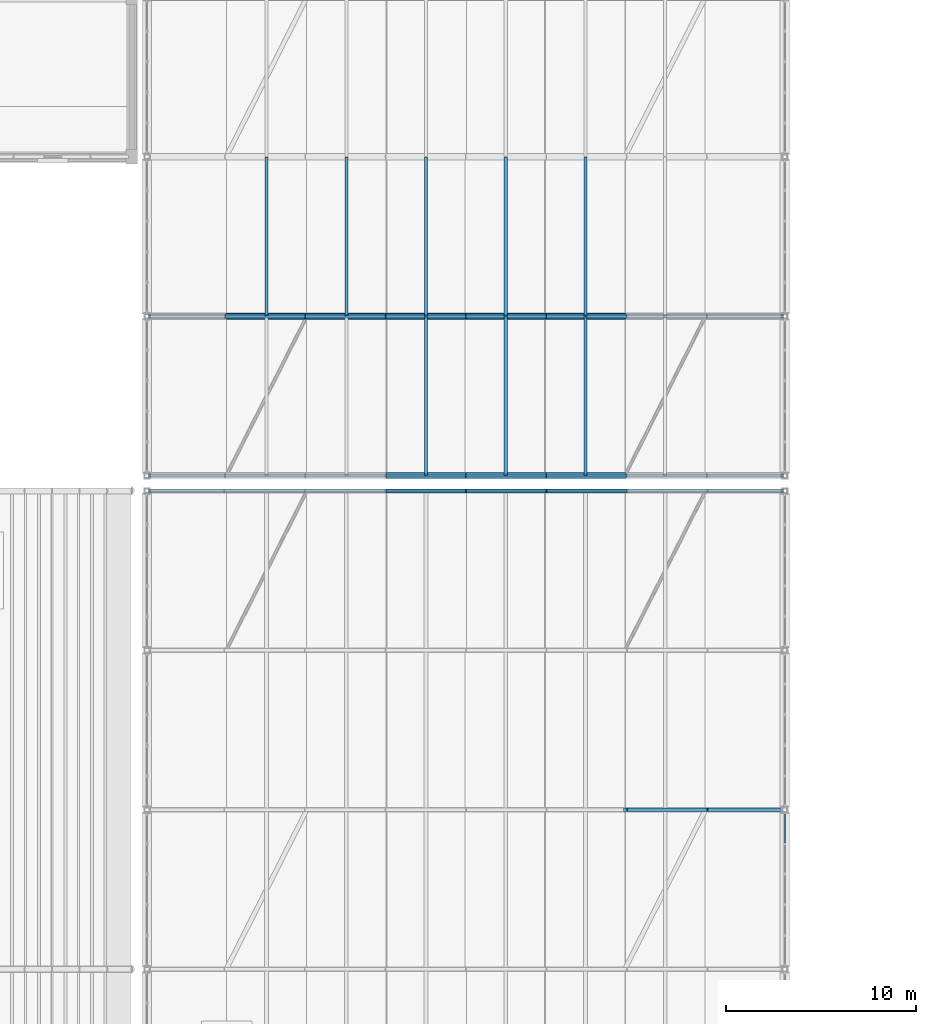
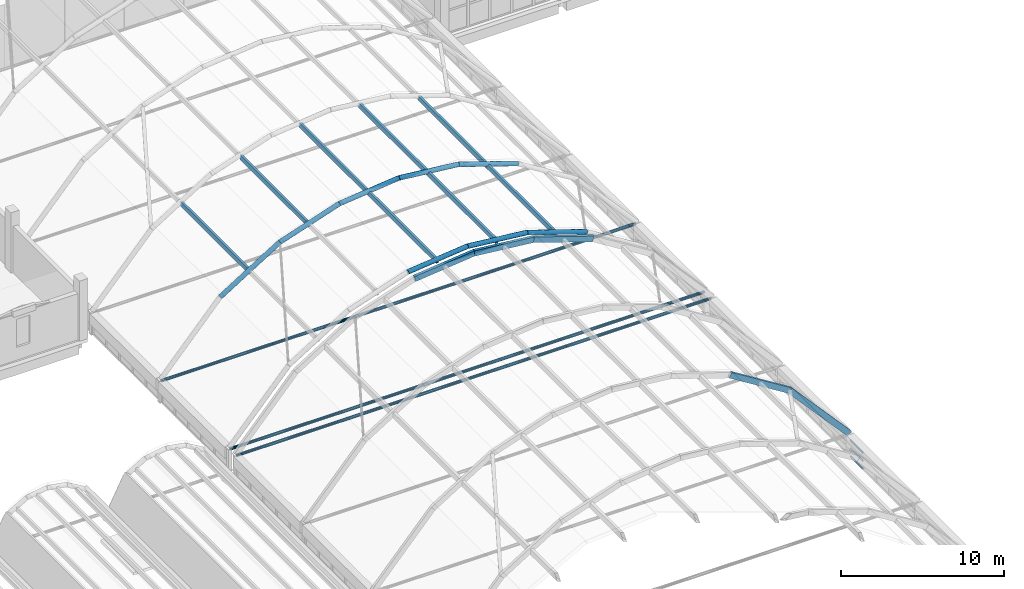
# One storey, part 34 of 114: 16 beams, 11 members, 1 element without a shape of its own.
"""IFC4 building model written with IfcOpenShell, lengths in metres."""

import ifcopenshell
import ifcopenshell.guid

model = None  # the IFC model being written
_history = None  # IfcOwnerHistory: only IFC2X3 demands one
_inside = {}  # id of a spatial element -> (the spatial element, [elements in it])
_under = {}  # id of a project, library or spatial element -> (it, [spatial elements below it])
_declared = {}  # id of a project -> (the project, [libraries it declares])
_typed = {}  # id of a type object -> (the type object, [elements of that type])
_made_of = {}  # id of a material, layer set ... -> (it, [elements and type objects made of it])


def new_model(schema):
    """Start an empty IFC model of exactly this schema.

    Asked for "IFC4X3", IfcOpenShell would pick the latest addendum, in which some entities
    have other attributes; the version numbers below select the first issue.
    IFC2X3 requires an IfcOwnerHistory on every rooted entity: one is made here for all.
    """
    global model, _history
    if schema == "IFC4X3":
        model = ifcopenshell.file(schema_version=(4, 3, 0, 0))
    else:
        model = ifcopenshell.file(schema=schema)
    _inside.clear()
    _under.clear()
    _declared.clear()
    _typed.clear()
    _made_of.clear()
    _history = None
    if model.schema == "IFC2X3":
        org = make("IfcOrganization", Name="unknown")
        user = make(
            "IfcPersonAndOrganization",
            ThePerson=make("IfcPerson", FamilyName="unknown"),
            TheOrganization=org,
        )
        app = make(
            "IfcApplication",
            ApplicationDeveloper=org,
            Version="unknown",
            ApplicationFullName="unknown",
            ApplicationIdentifier="unknown",
        )
        _history = make(
            "IfcOwnerHistory",
            OwningUser=user,
            OwningApplication=app,
            ChangeAction="ADDED",
            CreationDate=0,
        )
    return model


def make(cls, **values):
    """One entity of the class cls with the attributes given. An attribute that is None is left unset."""
    return model.create_entity(
        cls, **{name: value for name, value in values.items() if value is not None}
    )


def rooted(cls, **values):
    """An entity with a GlobalId (a new one), such as an element, a storey or a relation."""
    return make(cls, GlobalId=ifcopenshell.guid.new(), OwnerHistory=_history, **values)


def si_unit(unit_type, name, prefix=None):
    """IfcSIUnit, for example si_unit("LENGTHUNIT", "METRE", prefix="MILLI")."""
    return make("IfcSIUnit", UnitType=unit_type, Prefix=prefix, Name=name)


def assignment(units):
    """IfcUnitAssignment: the units of a project."""
    return None if units is None else make("IfcUnitAssignment", Units=units)


def point(xyz):
    """IfcCartesianPoint."""
    return None if xyz is None else make("IfcCartesianPoint", Coordinates=xyz)


def direction(xyz):
    """IfcDirection."""
    return None if xyz is None else make("IfcDirection", DirectionRatios=xyz)


def frame(location, z_axis=None, x_axis=None):
    """IfcAxis2Placement3D, a coordinate frame: its origin and axes. An axis left out is left unset."""
    return make(
        "IfcAxis2Placement3D",
        Location=point(location),
        Axis=direction(z_axis),
        RefDirection=direction(x_axis),
    )


def frame_2d(location, x_axis=None):
    """IfcAxis2Placement2D, a coordinate frame in the plane: its origin and x axis."""
    return make(
        "IfcAxis2Placement2D", Location=point(location), RefDirection=direction(x_axis)
    )


def origin():
    """The frame at (0, 0, 0) with its axes left unset."""
    return frame((0.0, 0.0, 0.0))


def origin_2d():
    """The frame at (0, 0) in the plane with its x axis left unset."""
    return frame_2d((0.0, 0.0))


def place(relative_to, where):
    """IfcLocalPlacement: puts the frame where relative to a parent placement (None: the world)."""
    return make(
        "IfcLocalPlacement", PlacementRelTo=relative_to, RelativePlacement=where
    )


def context(
    kind, dimensions, precision=None, world=None, true_north=None, identifier=None
):
    """IfcGeometricRepresentationContext, for example the 3D "Model" context."""
    return make(
        "IfcGeometricRepresentationContext",
        ContextIdentifier=identifier,
        ContextType=kind,
        CoordinateSpaceDimension=dimensions,
        Precision=precision,
        WorldCoordinateSystem=world,
        TrueNorth=true_north,
    )


def subcontext(parent, identifier, kind, view, scale=None):
    """IfcGeometricRepresentationSubContext, for example "Body" below "Model"."""
    return make(
        "IfcGeometricRepresentationSubContext",
        ContextIdentifier=identifier,
        ContextType=kind,
        ParentContext=parent,
        TargetScale=scale,
        TargetView=view,
    )


def project(units=None, contexts=None):
    """IfcProject with its units and contexts."""
    return rooted(
        "IfcProject",
        Name="project",
        RepresentationContexts=contexts,
        UnitsInContext=assignment(units),
    )


def spatial(cls, under=None, at=None, **own):
    """A site, building, storey or space (cls), placed at a placement, below another one or the project."""
    s = rooted(cls, ObjectPlacement=at, **own)
    if under is not None:
        _under.setdefault(under.id(), (under, []))[1].append(s)
    return s


def profile(cls, at=None, kind="AREA", **sizes):
    """A parametric profile (cls). Its sizes go by their IFC names, for example OverallWidth=200.0."""
    return make(cls, ProfileType=kind, Position=at, **sizes)


def rectangle(**sizes):
    """IfcRectangleProfileDef."""
    return profile("IfcRectangleProfileDef", **sizes)


def hollow_rectangle(**sizes):
    """IfcRectangleHollowProfileDef."""
    return profile("IfcRectangleHollowProfileDef", **sizes)


def hollow_circle(**sizes):
    """IfcCircleHollowProfileDef."""
    return profile("IfcCircleHollowProfileDef", **sizes)


def extrude(swept, where, along, depth):
    """IfcExtrudedAreaSolid: the profile swept, set in the frame where, extruded along a direction by depth."""
    return make(
        "IfcExtrudedAreaSolid",
        SweptArea=swept,
        Position=where,
        ExtrudedDirection=direction(along),
        Depth=depth,
    )


def shape(context_of_items, identifier, shape_type, items):
    """IfcShapeRepresentation: the items that make up one representation, for example the "Body"."""
    return make(
        "IfcShapeRepresentation",
        ContextOfItems=context_of_items,
        RepresentationIdentifier=identifier,
        RepresentationType=shape_type,
        Items=items,
    )


def material(Name=None, Category=None):
    """IfcMaterial."""
    return make("IfcMaterial", Name=Name, Category=Category)


def layer(
    of_material, thickness, ventilated=None, Name=None, Category=None, Priority=None
):
    """IfcMaterialLayer: one layer of a wall or slab, of a material (None: an air gap)."""
    return make(
        "IfcMaterialLayer",
        Material=of_material,
        LayerThickness=thickness,
        IsVentilated=ventilated,
        Name=Name,
        Category=Category,
        Priority=Priority,
    )


def layer_set(layers, Name=None):
    """IfcMaterialLayerSet."""
    return make("IfcMaterialLayerSet", MaterialLayers=layers, LayerSetName=Name)


def material_profile(
    of_material, cross_section, Name=None, Category=None, Priority=None
):
    """IfcMaterialProfile: a cross section and its material."""
    return make(
        "IfcMaterialProfile",
        Name=Name,
        Material=of_material,
        Profile=cross_section,
        Priority=Priority,
        Category=Category,
    )


def profile_set(profiles, Name=None, composite=None):
    """IfcMaterialProfileSet."""
    return make(
        "IfcMaterialProfileSet",
        Name=Name,
        MaterialProfiles=profiles,
        CompositeProfile=composite,
    )


def made_of(thing, what):
    """Note that an element or type object is made of a material, layer set ...; save() writes the relation."""
    if what is not None:
        _made_of.setdefault(what.id(), (what, []))[1].append(thing)
    return thing


def type_object(cls, material=None, **own):
    """A type object (cls), such as IfcWallType, which elements share."""
    return made_of(rooted(cls, **own), material)


def element(
    cls,
    number,
    at=None,
    inside=None,
    cuts=None,
    type_object=None,
    material=None,
    context=None,
    identifier="Body",
    shape_type=None,
    held_by="IfcProductDefinitionShape",
    body=None,
    shapes=None,
    **own,
):
    """One element of the class cls, such as IfcWall. Its Tag is "e" and its number.

    at: its placement. inside: the storey or other place that contains it. cuts: it is an
    opening in that element (IfcRelVoidsElement). A single representation is given by context,
    identifier, shape_type and body (its items); several are given by shapes. held_by: the class
    of the entity that holds the representations. save() writes the other relations.
    """
    e = rooted(cls, Tag="e%d" % number, ObjectPlacement=at, **own)
    if body is not None:
        shapes = [shape(context, identifier, shape_type, body)]
    if shapes is not None:
        e.Representation = make(held_by, Representations=shapes)
    if inside is not None:
        _inside.setdefault(inside.id(), (inside, []))[1].append(e)
    if cuts is not None:
        rooted(
            "IfcRelVoidsElement", RelatingBuildingElement=cuts, RelatedOpeningElement=e
        )
    if type_object is not None:
        _typed.setdefault(type_object.id(), (type_object, []))[1].append(e)
    return made_of(e, material)


def aggregate(whole, parts):
    """IfcRelAggregates: a whole, such as a stair, and the parts it consists of."""
    return rooted("IfcRelAggregates", RelatingObject=whole, RelatedObjects=parts)


def save(model, path):
    """Write the relations noted so far, then the file.

    IfcRelAggregates (storeys below a building ...), IfcRelContainedInSpatialStructure (elements
    in a storey), IfcRelDefinesByType, IfcRelAssociatesMaterial and IfcRelDeclares: one each for
    every whole, place, type object, material and project.
    """
    for whole, parts in _under.values():
        aggregate(whole, parts)
    for where, things in _inside.values():
        rooted(
            "IfcRelContainedInSpatialStructure",
            RelatedElements=things,
            RelatingStructure=where,
        )
    for kind, things in _typed.values():
        rooted("IfcRelDefinesByType", RelatedObjects=things, RelatingType=kind)
    for what, things in _made_of.values():
        rooted("IfcRelAssociatesMaterial", RelatedObjects=things, RelatingMaterial=what)
    for by, libraries in _declared.values():
        rooted("IfcRelDeclares", RelatingContext=by, RelatedDefinitions=libraries)
    model.write(path)


model = new_model("IFC4")

# Units and contexts
model_context = context("Model", 3, precision=1e-05, world=origin(), true_north=direction((0.0, 1.0)))
body_context = subcontext(model_context, "Body", "Model", "MODEL_VIEW")
ifc_project = project(units=[si_unit("LENGTHUNIT", "METRE"), si_unit("AREAUNIT", "SQUARE_METRE"), si_unit("VOLUMEUNIT", "CUBIC_METRE"), si_unit("PLANEANGLEUNIT", "RADIAN"), si_unit("MASSUNIT", "GRAM", prefix="KILO")], contexts=[model_context])

# Site, building, storey
site_placement = place(None, origin())
site = spatial("IfcSite", under=ifc_project, at=site_placement, CompositionType="ELEMENT")
building_placement = place(site_placement, origin())
building = spatial("IfcBuilding", under=site, at=building_placement, Name="Xazarin Passage Department Store", CompositionType="ELEMENT")
storey_placement = place(building_placement, frame((0.0, 0.0, 14.39990234375)))
storey = spatial("IfcBuildingStorey", under=building, at=storey_placement, Name="L03", CompositionType="ELEMENT", Elevation=14.39990234375)

# Curtain wall, members
ifc_material_1 = material(Name="Bronze anodised aluminium", Category="aluminium")
ifc_layer = layer(ifc_material_1, 0.159912109375)
ifc_layer_set = layer_set([ifc_layer], Name="Bronze anodised aluminium")
curtain_wall_type = type_object("IfcCurtainWallType", Name="ARC-CW-ARC1", PredefinedType="NOTDEFINED", material=ifc_layer_set)
curtain_wall_placement = place(storey_placement, origin())
curtain_wall = element("IfcCurtainWall", 1, at=curtain_wall_placement, inside=storey, type_object=curtain_wall_type, Name="L03 V2S Galleria Clerestory Curtain Wall 4E", PredefinedType="NOTDEFINED")
ifc_material_profile_1 = material_profile(ifc_material_1, hollow_rectangle(XDim=0.06494140625, YDim=0.139892578125, WallThickness=0.00390625, at=origin_2d()), Name="ALU 65x140")
ifc_profile_set_1 = profile_set([ifc_material_profile_1], Name="Bronze anodised aluminium")
member_type_1 = type_object("IfcMemberType", Name="ARC-CWT-65x140", PredefinedType="USERDEFINED", material=ifc_profile_set_1)
member_1_placement = place(storey_placement, frame((101.60009765625, 31.8564453125, 0.03271484375), z_axis=(0.0, 1.0, 0.0), x_axis=(-1.0, 0.0, 0.0)))
member_1 = element("IfcMember", 2, at=member_1_placement, type_object=member_type_1, Name="CW3 transom 5.1", ObjectType="TRANSOM", PredefinedType="USERDEFINED", context=body_context, shape_type="SweptSolid", body=[
    extrude(hollow_rectangle(XDim=0.06494140625, YDim=0.139892578125, WallThickness=0.00390625, at=origin_2d()), origin(), (0.0, 0.0, 1.0), 1.5185546875),
])
member_2_placement = place(storey_placement, frame((101.60009765625, 31.8564453125, 0.6259765625), z_axis=(0.0, 1.0, 0.0), x_axis=(-1.0, 0.0, 0.0)))
member_2 = element("IfcMember", 3, at=member_2_placement, type_object=member_type_1, Name="CW3 transom 5.2", ObjectType="TRANSOM", PredefinedType="USERDEFINED", context=body_context, shape_type="SweptSolid", body=[
    extrude(hollow_rectangle(XDim=0.06494140625, YDim=0.139892578125, WallThickness=0.00390625, at=origin_2d()), origin(), (0.0, 0.0, 1.0), 1.5185546875),
])
member_3_placement = place(storey_placement, frame((101.60009765625, 31.8564453125, 1.21923828125), z_axis=(0.0, 1.0, 0.0), x_axis=(-1.0, 0.0, 0.0)))
member_3 = element("IfcMember", 4, at=member_3_placement, type_object=member_type_1, Name="CW3 transom 5.3", ObjectType="TRANSOM", PredefinedType="USERDEFINED", context=body_context, shape_type="SweptSolid", body=[
    extrude(hollow_rectangle(XDim=0.06494140625, YDim=0.139892578125, WallThickness=0.00390625, at=origin_2d()), origin(), (0.0, 0.0, 1.0), 1.5185546875),
])
aggregate(curtain_wall, [member_1, member_2, member_3])

# Beams
ifc_material_2 = material(Name="Steel S355", Category="steel")
ifc_material_profile_2 = material_profile(ifc_material_2, hollow_circle(Radius=0.161865234375, WallThickness=0.01611328125, at=origin_2d()), Name="CHS 323.9x16")
ifc_profile_set_2 = profile_set([ifc_material_profile_2], Name="Steel S355")
beam_type_1 = type_object("IfcBeamType", Name="STR-BM-AR324", PredefinedType="BEAM", material=ifc_profile_set_2)
for number, where, z_axis, x_axis, name in (
    (5, (80.60009765625, 51.199951171875, 10.35400390625), (0.994407785938, 0.0, 0.105608499966), (0.0, 1.0, 0.0), "V2N Primary Arch Rib 1.4"),
    (6, (84.800048828125, 51.199951171875, 10.800048828125), (0.994407785938, 0.0, -0.105608499966), (0.0, 1.0, 0.0), "V2N Primary Arch Rib 1.5"),
):
    element("IfcBeam", number, at=place(storey_placement, frame(where, z_axis=z_axis, x_axis=x_axis)), inside=storey, type_object=beam_type_1, Name=name, PredefinedType="BEAM", context=body_context, shape_type="SweptSolid", body=[
        extrude(hollow_circle(Radius=0.161865234375, WallThickness=0.01611328125, at=origin_2d()), origin(), (0.0, 0.0, 1.0), 4.2236328125),
    ])
beam_1_placement = place(storey_placement, frame((89.0, 51.199951171875, 10.35400390625), z_axis=(0.948457009421, 0.0, -0.316905823993), x_axis=(0.0, 1.0, 0.0)))
element("IfcBeam", 7, at=beam_1_placement, inside=storey, type_object=beam_type_1, Name="V2N Primary Arch Rib 1.6", PredefinedType="BEAM", context=body_context, shape_type="SweptSolid", body=[
    extrude(hollow_circle(Radius=0.161865234375, WallThickness=0.01611328125, at=origin_2d()), origin(), (0.0, 0.0, 1.0), 4.42822265625),
])
beam_2_placement = place(storey_placement, frame((72.199951171875, 59.60009765625, 6.33203125), z_axis=(0.848571440894, 0.0, 0.529080815848), x_axis=(0.0, 1.0, 0.0)))
element("IfcBeam", 8, at=beam_2_placement, inside=storey, type_object=beam_type_1, Name="V2N Primary Arch Rib 2.2", PredefinedType="BEAM", context=body_context, shape_type="SweptSolid", body=[
    extrude(hollow_circle(Radius=0.161865234375, WallThickness=0.01611328125, at=origin_2d()), origin(), (0.0, 0.0, 1.0), 4.949462890625),
])
beam_3_placement = place(storey_placement, frame((76.39990234375, 59.60009765625, 8.95068359375), z_axis=(0.948462545979, 0.0, 0.31688925333), x_axis=(0.0, 1.0, 0.0)))
element("IfcBeam", 9, at=beam_3_placement, inside=storey, type_object=beam_type_1, Name="V2N Primary Arch Rib 2.3", PredefinedType="BEAM", context=body_context, shape_type="SweptSolid", body=[
    extrude(hollow_circle(Radius=0.161865234375, WallThickness=0.01611328125, at=origin_2d()), origin(), (0.0, 0.0, 1.0), 4.428466796875),
])
for number, where, z_axis, x_axis, name in (
    (10, (80.60009765625, 59.60009765625, 10.35400390625), (0.994407785938, 0.0, 0.105608499966), (0.0, 1.0, 0.0), "V2N Primary Arch Rib 2.4"),
    (11, (84.800048828125, 59.60009765625, 10.800048828125), (0.994407785938, 0.0, -0.105608499966), (0.0, 1.0, 0.0), "V2N Primary Arch Rib 2.5"),
):
    element("IfcBeam", number, at=place(storey_placement, frame(where, z_axis=z_axis, x_axis=x_axis)), inside=storey, type_object=beam_type_1, Name=name, PredefinedType="BEAM", context=body_context, shape_type="SweptSolid", body=[
        extrude(hollow_circle(Radius=0.161865234375, WallThickness=0.01611328125, at=origin_2d()), origin(), (0.0, 0.0, 1.0), 4.2236328125),
    ])
beam_4_placement = place(storey_placement, frame((89.0, 59.60009765625, 10.35400390625), z_axis=(0.948457009421, 0.0, -0.316905823993), x_axis=(0.0, 1.0, 0.0)))
element("IfcBeam", 12, at=beam_4_placement, inside=storey, type_object=beam_type_1, Name="V2N Primary Arch Rib 2.6", PredefinedType="BEAM", context=body_context, shape_type="SweptSolid", body=[
    extrude(hollow_circle(Radius=0.161865234375, WallThickness=0.01611328125, at=origin_2d()), origin(), (0.0, 0.0, 1.0), 4.42822265625),
])
ifc_material_profile_3 = material_profile(ifc_material_2, hollow_rectangle(XDim=0.199951171875, YDim=0.39990234375, WallThickness=0.01611328125, at=origin_2d()), Name="RHS 400x200x16")
ifc_profile_set_3 = profile_set([ifc_material_profile_3], Name="Steel S355")
beam_type_2 = type_object("IfcBeamType", Name="STR-BM-AR400", PredefinedType="BEAM", material=ifc_profile_set_3)
beam_5_placement = place(storey_placement, frame((93.199951171875, 33.60009765625, 8.95068359375), z_axis=(0.848571440894, 0.0, -0.529080815848), x_axis=(0.0, 1.0, 0.0)))
element("IfcBeam", 13, at=beam_5_placement, inside=storey, type_object=beam_type_2, Name="V2S Primary Arch Rib 5.7", PredefinedType="BEAM", context=body_context, shape_type="SweptSolid", body=[
    extrude(hollow_rectangle(XDim=0.199951171875, YDim=0.39990234375, WallThickness=0.01611328125, at=origin_2d()), origin(), (0.0, 0.0, 1.0), 4.949462890625),
])
beam_6_placement = place(storey_placement, frame((97.39990234375, 33.60009765625, 6.33203125), z_axis=(0.667913050078, 0.0, -0.744239314694), x_axis=(0.0, 1.0, 0.0)))
element("IfcBeam", 14, at=beam_6_placement, inside=storey, type_object=beam_type_2, Name="V2S Primary Arch Rib 5.8", PredefinedType="BEAM", context=body_context, shape_type="SweptSolid", body=[
    extrude(hollow_rectangle(XDim=0.199951171875, YDim=0.39990234375, WallThickness=0.01611328125, at=origin_2d()), origin(), (0.0, 0.0, 1.0), 6.28857421875),
])
for number, where, z_axis, x_axis, name in (
    (15, (80.60009765625, 50.39990234375, 10.35400390625), (0.994407785938, 0.0, 0.105608499966), (0.0, 1.0, 0.0), "V2S Primary Arch Rib 7.4"),
    (16, (84.800048828125, 50.39990234375, 10.800048828125), (0.994407785938, 0.0, -0.105608499966), (0.0, 1.0, 0.0), "V2S Primary Arch Rib 7.5"),
):
    element("IfcBeam", number, at=place(storey_placement, frame(where, z_axis=z_axis, x_axis=x_axis)), inside=storey, type_object=beam_type_2, Name=name, PredefinedType="BEAM", context=body_context, shape_type="SweptSolid", body=[
        extrude(hollow_rectangle(XDim=0.199951171875, YDim=0.39990234375, WallThickness=0.01611328125, at=origin_2d()), origin(), (0.0, 0.0, 1.0), 4.2236328125),
    ])
beam_7_placement = place(storey_placement, frame((89.0, 50.39990234375, 10.35400390625), z_axis=(0.948457009421, 0.0, -0.316905823993), x_axis=(0.0, 1.0, 0.0)))
element("IfcBeam", 17, at=beam_7_placement, inside=storey, type_object=beam_type_2, Name="V2S Primary Arch Rib 7.6", PredefinedType="BEAM", context=body_context, shape_type="SweptSolid", body=[
    extrude(hollow_rectangle(XDim=0.199951171875, YDim=0.39990234375, WallThickness=0.01611328125, at=origin_2d()), origin(), (0.0, 0.0, 1.0), 4.42822265625),
])
ifc_material_profile_4 = material_profile(ifc_material_2, hollow_circle(Radius=0.109619140625, WallThickness=0.012451171875, at=origin_2d()), Name="CHS 219.1x12.5")
ifc_profile_set_4 = profile_set([ifc_material_profile_4], Name="Steel S355")
beam_type_3 = type_object("IfcBeamType", Name="STR-BM-TIE219", PredefinedType="BEAM", material=ifc_profile_set_4)
for number, where, z_axis, x_axis, name in (
    (18, (68.050048828125, 50.39990234375, 1.53173828125), (1.0, 0.0, 0.0), (0.0, 1.0, 0.0), "V2S Arch Tie Beam 7"),
    (19, (68.050048828125, 51.199951171875, 1.53173828125), (1.0, 0.0, 0.0), (0.0, 1.0, 0.0), "V2N Arch Tie Beam 1"),
    (20, (68.050048828125, 59.60009765625, 1.53173828125), (1.0, 0.0, 0.0), (0.0, 1.0, 0.0), "V2N Arch Tie Beam 2"),
):
    element("IfcBeam", number, at=place(storey_placement, frame(where, z_axis=z_axis, x_axis=x_axis)), inside=storey, type_object=beam_type_3, Name=name, PredefinedType="BEAM", context=body_context, shape_type="SweptSolid", body=[
        extrude(hollow_circle(Radius=0.109619140625, WallThickness=0.012451171875, at=origin_2d()), origin(), (0.0, 0.0, 1.0), 33.5),
    ])

# Members
ifc_material_3 = material(Name="Glulam GL28h", Category="wood")
ifc_material_profile_5 = material_profile(ifc_material_3, rectangle(XDim=0.159912109375, YDim=0.360107421875, at=origin_2d()), Name="GL28h 160x360")
ifc_profile_set_5 = profile_set([ifc_material_profile_5], Name="Glulam GL28h")
member_type_2 = type_object("IfcMemberType", Name="STR-MEM-GL360", PredefinedType="PURLIN", material=ifc_profile_set_5)
for number, where, z_axis, x_axis, name in (
    (21, (82.699951171875, 51.219970703125, 10.439208984375), (0.0, 1.0, 0.0), (-1.0, 0.0, 0.0), "V2N Glulam Gridshell Purlin 1.4"),
    (22, (86.89990234375, 51.219970703125, 10.439208984375), (0.0, 1.0, 0.0), (-1.0, 0.0, 0.0), "V2N Glulam Gridshell Purlin 1.5"),
    (23, (91.10009765625, 51.219970703125, 9.514404296875), (0.0, 1.0, 0.0), (-1.0, 0.0, 0.0), "V2N Glulam Gridshell Purlin 1.6"),
):
    element("IfcMember", number, at=place(storey_placement, frame(where, z_axis=z_axis, x_axis=x_axis)), inside=storey, type_object=member_type_2, Name=name, PredefinedType="PURLIN", context=body_context, shape_type="SweptSolid", body=[
        extrude(rectangle(XDim=0.159912109375, YDim=0.360107421875, at=origin_2d()), origin(), (0.0, 0.0, 1.0), 8.360107421875),
    ])
for number, where, z_axis, x_axis, name in (
    (24, (74.300048828125, 59.6201171875, 7.50341796875), (0.0, 1.0, 0.0), (-1.0, 0.0, 0.0), "V2N Glulam Gridshell Purlin 2.2"),
    (25, (78.5, 59.6201171875, 9.514404296875), (0.0, 1.0, 0.0), (-1.0, 0.0, 0.0), "V2N Glulam Gridshell Purlin 2.3"),
    (26, (82.699951171875, 59.6201171875, 10.439208984375), (0.0, 1.0, 0.0), (-1.0, 0.0, 0.0), "V2N Glulam Gridshell Purlin 2.4"),
    (27, (86.89990234375, 59.6201171875, 10.439208984375), (0.0, 1.0, 0.0), (-1.0, 0.0, 0.0), "V2N Glulam Gridshell Purlin 2.5"),
    (28, (91.10009765625, 59.6201171875, 9.514404296875), (0.0, 1.0, 0.0), (-1.0, 0.0, 0.0), "V2N Glulam Gridshell Purlin 2.6"),
):
    element("IfcMember", number, at=place(storey_placement, frame(where, z_axis=z_axis, x_axis=x_axis)), inside=storey, type_object=member_type_2, Name=name, PredefinedType="PURLIN", context=body_context, shape_type="SweptSolid", body=[
        extrude(rectangle(XDim=0.159912109375, YDim=0.360107421875, at=origin_2d()), origin(), (0.0, 0.0, 1.0), 8.35986328125),
    ])

save(model, "model.ifc")
